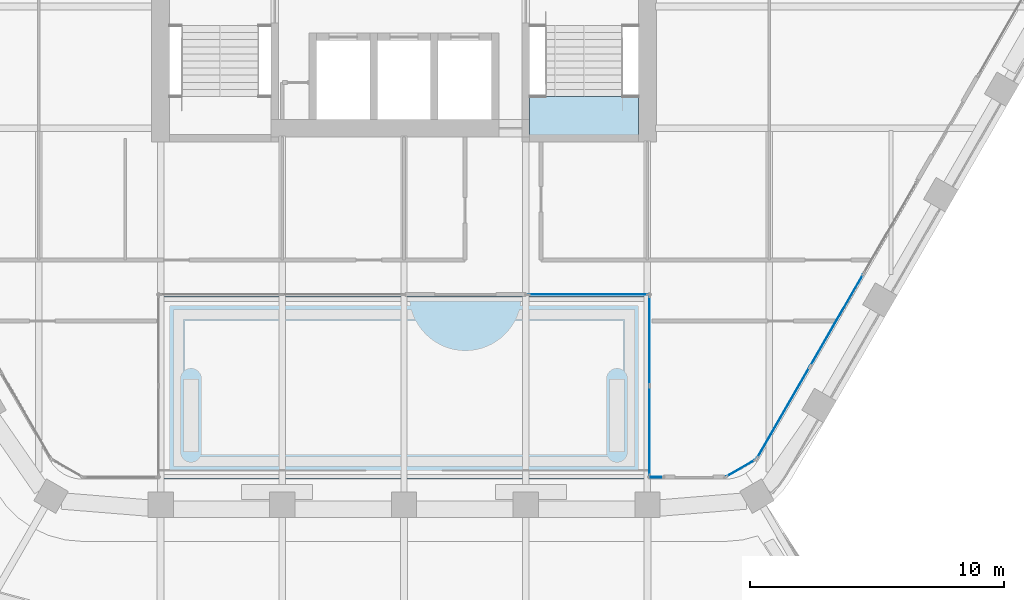
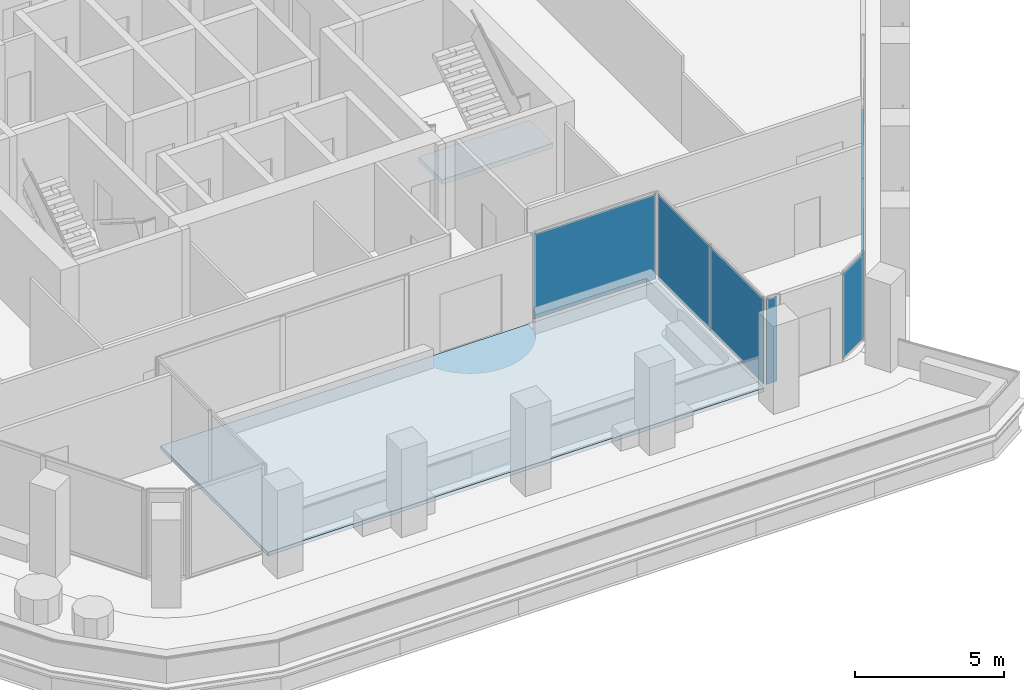
# One storey, part 10 of 18: 7 plates, 2 slabs, 6 elements without a shape of their own.
"""IFC4 building model written with IfcOpenShell, lengths in metres."""

from ifc_helpers import new_model, si_unit, direction, frame, origin, origin_2d, place, context, subcontext, project, spatial, polyline, rectangle, outline, extrude, material, layer, layer_set, type_object, element, aggregate, save


model = new_model("IFC4")

# Units and contexts
model_context = context("Model", 3, precision=1e-05, world=origin(), true_north=direction((0.0, 1.0)))
body_context = subcontext(model_context, "Body", "Model", "MODEL_VIEW")
ifc_project = project(units=[si_unit("LENGTHUNIT", "METRE"), si_unit("AREAUNIT", "SQUARE_METRE"), si_unit("VOLUMEUNIT", "CUBIC_METRE"), si_unit("PLANEANGLEUNIT", "RADIAN"), si_unit("MASSUNIT", "GRAM", prefix="KILO")], contexts=[model_context])

# Site, building, storey
site_placement = place(None, origin())
site = spatial("IfcSite", under=ifc_project, at=site_placement, CompositionType="ELEMENT")
building_placement = place(site_placement, origin())
building = spatial("IfcBuilding", under=site, at=building_placement, Name="Kolab Exchange Tower", CompositionType="ELEMENT")
storey_placement = place(building_placement, frame((0.0, 0.0, 212.89990234375)))
storey = spatial("IfcBuildingStorey", under=building, at=storey_placement, Name="L46", CompositionType="ELEMENT", Elevation=212.89990234375)

# Stair, slab
ifc_material_1 = material(Name="Concrete C50/60", Category="concrete")
stair_type = type_object("IfcStairType", Name="STAIR ST2 RISER 177.3", PredefinedType="HALF_TURN_STAIR", material=ifc_material_1)
stair_placement = place(storey_placement, origin())
stair = element("IfcStair", 1, at=stair_placement, inside=storey, type_object=stair_type, Name="Stair 2", PredefinedType="HALF_TURN_STAIR")
ifc_layer_1 = layer(ifc_material_1, 0.199951171875)
ifc_layer_set_1 = layer_set([ifc_layer_1], Name="Concrete C50/60")
slab_type_1 = type_object("IfcSlabType", Name="STAIR LANDING 200", PredefinedType="LANDING", material=ifc_layer_set_1)
slab_1_placement = place(storey_placement, frame((0.0, 0.0, 1.75)))
slab_1 = element("IfcSlab", 2, at=slab_1_placement, type_object=slab_type_1, Name="ST2 landing 2", PredefinedType="LANDING", context=body_context, shape_type="SweptSolid", body=[
    extrude(outline(polyline([(4.949951171875, -9.909912109375), (9.25, -9.909912109375), (9.25, -8.35009765625), (4.949951171875, -8.35009765625), (4.949951171875, -9.909912109375)])), origin(), (0.0, 0.0, 1.0), 0.2001953125),
])
aggregate(stair, [slab_1])

# Slab
ifc_material_2 = material(Name="Concrete C35/45", Category="concrete")
ifc_layer_2 = layer(ifc_material_2, 0.14990234375)
ifc_layer_set_2 = layer_set([ifc_layer_2], Name="Concrete C35/45")
slab_type_2 = type_object("IfcSlabType", Name="TERRACE SLAB 150 PLANTED", PredefinedType="ROOF", material=ifc_layer_set_2)
slab_2_placement = place(storey_placement, frame((0.0, 0.0, -0.14990234375)))
element("IfcSlab", 3, at=slab_2_placement, inside=storey, type_object=slab_type_2, Name="Roof terrace", PredefinedType="ROOF", context=body_context, shape_type="SweptSolid", body=[
    extrude(outline(polyline([(9.60009765625, -23.441650390625), (9.60009765625, -16.241455078125), (-9.60009765625, -16.241455078125), (-9.60009765625, -23.441650390625), (9.60009765625, -23.441650390625)])), origin(), (0.0, 0.0, 1.0), 0.14990234375),
])

# Curtain wall, plates
ifc_material_3 = material(Name="Aluminium EN AW-6063 T6", Category="aluminium")
curtain_wall_type = type_object("IfcCurtainWallType", Name="UNITISED UPPER MID ZONE CURTAIN WALL", PredefinedType="NOTDEFINED", material=ifc_material_3)
curtain_wall_1_placement = place(storey_placement, origin())
curtain_wall_1 = element("IfcCurtainWall", 4, at=curtain_wall_1_placement, inside=storey, type_object=curtain_wall_type, Name="cw/L46/F3-2", PredefinedType="NOTDEFINED")
ifc_material_4 = material(Name="Clear insulated glazing unit", Category="glass")
ifc_layer_3 = layer(ifc_material_4, 0.028076171875)
ifc_layer_set_3 = layer_set([ifc_layer_3], Name="Clear insulated glazing unit")
plate_type = type_object("IfcPlateType", Name="UNITISED UPPER MID ZONE GLASS PANEL 28", PredefinedType="CURTAIN_PANEL", material=ifc_layer_set_3)
plate_1_placement = place(storey_placement, frame((17.064697265625, -17.166259765625, 0.06005859375), z_axis=(0.0, 0.0, 1.0), x_axis=(-0.500000017564, -0.866025393644, 0.0)))
plate_1 = element("IfcPlate", 5, at=plate_1_placement, type_object=plate_type, Name="CW3 panel 2.1", PredefinedType="CURTAIN_PANEL", context=body_context, shape_type="SweptSolid", body=[
    extrude(rectangle(XDim=4.16259765625, YDim=0.028076171875, at=origin_2d()), origin(), (0.0, 0.0, 1.0), 3.47998046875),
])
plate_2_placement = place(storey_placement, frame((14.9609375, -20.81005859375, 0.06005859375), z_axis=(0.0, 0.0, 1.0), x_axis=(-0.500000017564, -0.866025393644, 0.0)))
plate_2 = element("IfcPlate", 6, at=plate_2_placement, type_object=plate_type, Name="CW3 panel 3.1", PredefinedType="CURTAIN_PANEL", context=body_context, shape_type="SweptSolid", body=[
    extrude(rectangle(XDim=4.132568359375, YDim=0.028076171875, at=origin_2d()), origin(), (0.0, 0.0, 1.0), 3.47998046875),
])
aggregate(curtain_wall_1, [plate_1, plate_2])

# Curtain wall, plate
curtain_wall_2_placement = place(storey_placement, origin())
curtain_wall_2 = element("IfcCurtainWall", 7, at=curtain_wall_2_placement, inside=storey, type_object=curtain_wall_type, Name="cw/L46/F4-l-1", PredefinedType="NOTDEFINED")
plate_3_placement = place(storey_placement, frame((9.944091796875, -23.361572265625, 0.06005859375), z_axis=(0.0, 0.0, 1.0), x_axis=(-1.0, 0.0, 0.0)))
plate_3 = element("IfcPlate", 8, at=plate_3_placement, type_object=plate_type, Name="CW3 panel 1.1", PredefinedType="CURTAIN_PANEL", context=body_context, shape_type="SweptSolid", body=[
    extrude(rectangle(XDim=0.407958984375, YDim=0.028076171875, at=origin_2d()), origin(), (0.0, 0.0, 1.0), 3.47998046875),
])
aggregate(curtain_wall_2, [plate_3])

# Curtain wall, plates
curtain_wall_3_placement = place(storey_placement, origin())
curtain_wall_3 = element("IfcCurtainWall", 9, at=curtain_wall_3_placement, inside=storey, type_object=curtain_wall_type, Name="cw/L46/F4-rl-1", PredefinedType="NOTDEFINED")
plate_4_placement = place(storey_placement, frame((9.679931640625, -21.546630859375, 0.06005859375), z_axis=(0.0, 0.0, 1.0), x_axis=(0.0, 1.0, 0.0)))
plate_4 = element("IfcPlate", 10, at=plate_4_placement, type_object=plate_type, Name="CW3 panel 1.1", PredefinedType="CURTAIN_PANEL", context=body_context, shape_type="SweptSolid", body=[
    extrude(rectangle(XDim=3.510009765625, YDim=0.028076171875, at=origin_2d()), origin(), (0.0, 0.0, 1.0), 3.47998046875),
])
plate_5_placement = place(storey_placement, frame((9.679931640625, -17.9765625, 0.06005859375), z_axis=(0.0, 0.0, 1.0), x_axis=(0.0, 1.0, 0.0)))
plate_5 = element("IfcPlate", 11, at=plate_5_placement, type_object=plate_type, Name="CW3 panel 2.1", PredefinedType="CURTAIN_PANEL", context=body_context, shape_type="SweptSolid", body=[
    extrude(rectangle(XDim=3.510009765625, YDim=0.028076171875, at=origin_2d()), origin(), (0.0, 0.0, 1.0), 3.47998046875),
])
aggregate(curtain_wall_3, [plate_4, plate_5])

# Curtain wall, plate
curtain_wall_4_placement = place(storey_placement, origin())
curtain_wall_4 = element("IfcCurtainWall", 12, at=curtain_wall_4_placement, inside=storey, type_object=curtain_wall_type, Name="cw/L46/F4-back-1", PredefinedType="NOTDEFINED")
plate_6_placement = place(storey_placement, frame((7.260009765625, -16.16162109375, 0.06005859375), z_axis=(0.0, 0.0, 1.0), x_axis=(-1.0, 0.0, 0.0)))
plate_6 = element("IfcPlate", 13, at=plate_6_placement, type_object=plate_type, Name="CW3 panel 1.1", PredefinedType="CURTAIN_PANEL", context=body_context, shape_type="SweptSolid", body=[
    extrude(rectangle(XDim=4.719970703125, YDim=0.028076171875, at=origin_2d()), origin(), (0.0, 0.0, 1.0), 3.47998046875),
])
aggregate(curtain_wall_4, [plate_6])

curtain_wall_5_placement = place(storey_placement, origin())
curtain_wall_5 = element("IfcCurtainWall", 14, at=curtain_wall_5_placement, inside=storey, type_object=curtain_wall_type, Name="cw/L46/F3F4-corner", PredefinedType="NOTDEFINED")
plate_7_placement = place(storey_placement, frame((13.28271484375, -23.006591796875, 0.06005859375), z_axis=(0.0, 0.0, 1.0), x_axis=(-0.866025390869, -0.50000002237, 0.0)))
plate_7 = element("IfcPlate", 15, at=plate_7_placement, type_object=plate_type, Name="CW3 panel 1.1", PredefinedType="CURTAIN_PANEL", context=body_context, shape_type="SweptSolid", body=[
    extrude(rectangle(XDim=1.300048828125, YDim=0.028076171875, at=origin_2d()), origin(), (0.0, 0.0, 1.0), 3.47998046875),
])
aggregate(curtain_wall_5, [plate_7])

save(model, "model.ifc")
